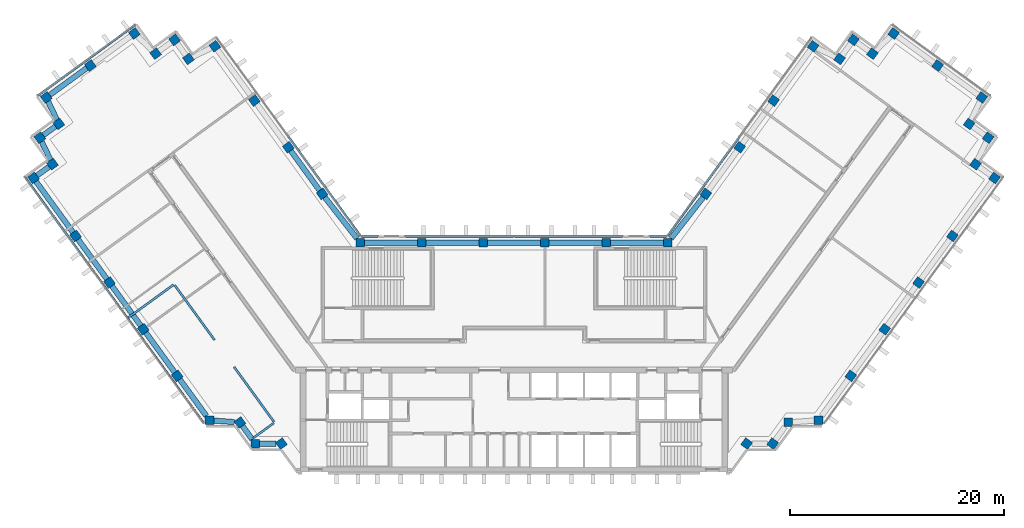
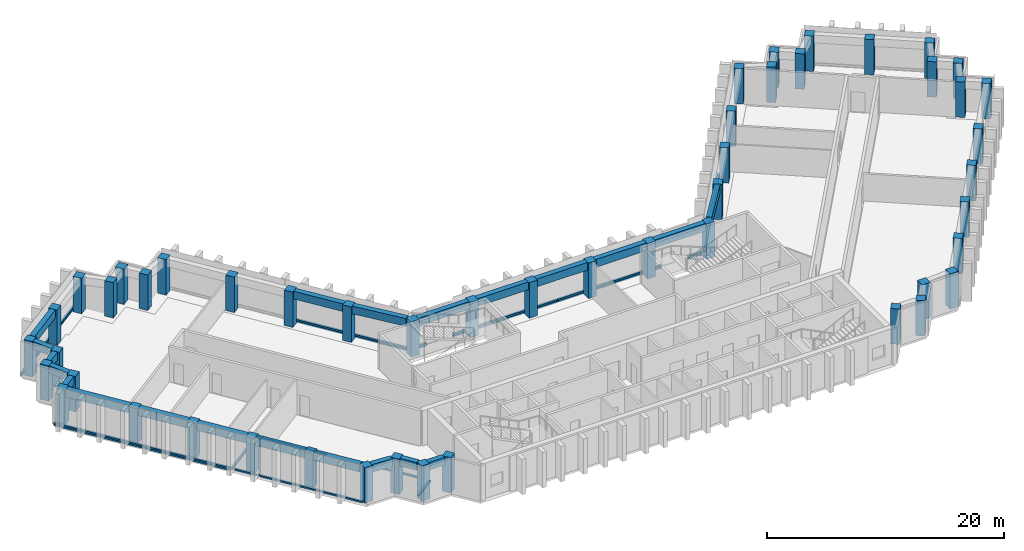
"""IFC4 building model written with IfcOpenShell, lengths in metres."""

import ifcopenshell
import ifcopenshell.guid

model = None  # the IFC model being written
_history = None  # IfcOwnerHistory: only IFC2X3 demands one
_inside = {}  # id of a spatial element -> (the spatial element, [elements in it])
_under = {}  # id of a project, library or spatial element -> (it, [spatial elements below it])
_declared = {}  # id of a project -> (the project, [libraries it declares])
_typed = {}  # id of a type object -> (the type object, [elements of that type])
_made_of = {}  # id of a material, layer set ... -> (it, [elements and type objects made of it])


def new_model(schema):
    """Start an empty IFC model of exactly this schema.

    Asked for "IFC4X3", IfcOpenShell would pick the latest addendum, in which some entities
    have other attributes; the version numbers below select the first issue.
    IFC2X3 requires an IfcOwnerHistory on every rooted entity: one is made here for all.
    """
    global model, _history
    if schema == "IFC4X3":
        model = ifcopenshell.file(schema_version=(4, 3, 0, 0))
    else:
        model = ifcopenshell.file(schema=schema)
    _inside.clear()
    _under.clear()
    _declared.clear()
    _typed.clear()
    _made_of.clear()
    _history = None
    if model.schema == "IFC2X3":
        org = make("IfcOrganization", Name="unknown")
        user = make(
            "IfcPersonAndOrganization",
            ThePerson=make("IfcPerson", FamilyName="unknown"),
            TheOrganization=org,
        )
        app = make(
            "IfcApplication",
            ApplicationDeveloper=org,
            Version="unknown",
            ApplicationFullName="unknown",
            ApplicationIdentifier="unknown",
        )
        _history = make(
            "IfcOwnerHistory",
            OwningUser=user,
            OwningApplication=app,
            ChangeAction="ADDED",
            CreationDate=0,
        )
    return model


def make(cls, **values):
    """One entity of the class cls with the attributes given. An attribute that is None is left unset."""
    return model.create_entity(
        cls, **{name: value for name, value in values.items() if value is not None}
    )


def rooted(cls, **values):
    """An entity with a GlobalId (a new one), such as an element, a storey or a relation."""
    return make(cls, GlobalId=ifcopenshell.guid.new(), OwnerHistory=_history, **values)


def si_unit(unit_type, name, prefix=None):
    """IfcSIUnit, for example si_unit("LENGTHUNIT", "METRE", prefix="MILLI")."""
    return make("IfcSIUnit", UnitType=unit_type, Prefix=prefix, Name=name)


def assignment(units):
    """IfcUnitAssignment: the units of a project."""
    return None if units is None else make("IfcUnitAssignment", Units=units)


def point(xyz):
    """IfcCartesianPoint."""
    return None if xyz is None else make("IfcCartesianPoint", Coordinates=xyz)


def direction(xyz):
    """IfcDirection."""
    return None if xyz is None else make("IfcDirection", DirectionRatios=xyz)


def frame(location, z_axis=None, x_axis=None):
    """IfcAxis2Placement3D, a coordinate frame: its origin and axes. An axis left out is left unset."""
    return make(
        "IfcAxis2Placement3D",
        Location=point(location),
        Axis=direction(z_axis),
        RefDirection=direction(x_axis),
    )


def frame_2d(location, x_axis=None):
    """IfcAxis2Placement2D, a coordinate frame in the plane: its origin and x axis."""
    return make(
        "IfcAxis2Placement2D", Location=point(location), RefDirection=direction(x_axis)
    )


def origin():
    """The frame at (0, 0, 0) with its axes left unset."""
    return frame((0.0, 0.0, 0.0))


def origin_2d():
    """The frame at (0, 0) in the plane with its x axis left unset."""
    return frame_2d((0.0, 0.0))


def place(relative_to, where):
    """IfcLocalPlacement: puts the frame where relative to a parent placement (None: the world)."""
    return make(
        "IfcLocalPlacement", PlacementRelTo=relative_to, RelativePlacement=where
    )


def context(
    kind, dimensions, precision=None, world=None, true_north=None, identifier=None
):
    """IfcGeometricRepresentationContext, for example the 3D "Model" context."""
    return make(
        "IfcGeometricRepresentationContext",
        ContextIdentifier=identifier,
        ContextType=kind,
        CoordinateSpaceDimension=dimensions,
        Precision=precision,
        WorldCoordinateSystem=world,
        TrueNorth=true_north,
    )


def subcontext(parent, identifier, kind, view, scale=None):
    """IfcGeometricRepresentationSubContext, for example "Body" below "Model"."""
    return make(
        "IfcGeometricRepresentationSubContext",
        ContextIdentifier=identifier,
        ContextType=kind,
        ParentContext=parent,
        TargetScale=scale,
        TargetView=view,
    )


def project(units=None, contexts=None):
    """IfcProject with its units and contexts."""
    return rooted(
        "IfcProject",
        Name="project",
        RepresentationContexts=contexts,
        UnitsInContext=assignment(units),
    )


def spatial(cls, under=None, at=None, **own):
    """A site, building, storey or space (cls), placed at a placement, below another one or the project."""
    s = rooted(cls, ObjectPlacement=at, **own)
    if under is not None:
        _under.setdefault(under.id(), (under, []))[1].append(s)
    return s


def profile(cls, at=None, kind="AREA", **sizes):
    """A parametric profile (cls). Its sizes go by their IFC names, for example OverallWidth=200.0."""
    return make(cls, ProfileType=kind, Position=at, **sizes)


def rectangle(**sizes):
    """IfcRectangleProfileDef."""
    return profile("IfcRectangleProfileDef", **sizes)


def extrude(swept, where, along, depth):
    """IfcExtrudedAreaSolid: the profile swept, set in the frame where, extruded along a direction by depth."""
    return make(
        "IfcExtrudedAreaSolid",
        SweptArea=swept,
        Position=where,
        ExtrudedDirection=direction(along),
        Depth=depth,
    )


def shape(context_of_items, identifier, shape_type, items):
    """IfcShapeRepresentation: the items that make up one representation, for example the "Body"."""
    return make(
        "IfcShapeRepresentation",
        ContextOfItems=context_of_items,
        RepresentationIdentifier=identifier,
        RepresentationType=shape_type,
        Items=items,
    )


def material(Name=None, Category=None):
    """IfcMaterial."""
    return make("IfcMaterial", Name=Name, Category=Category)


def material_profile(
    of_material, cross_section, Name=None, Category=None, Priority=None
):
    """IfcMaterialProfile: a cross section and its material."""
    return make(
        "IfcMaterialProfile",
        Name=Name,
        Material=of_material,
        Profile=cross_section,
        Priority=Priority,
        Category=Category,
    )


def profile_set(profiles, Name=None, composite=None):
    """IfcMaterialProfileSet."""
    return make(
        "IfcMaterialProfileSet",
        Name=Name,
        MaterialProfiles=profiles,
        CompositeProfile=composite,
    )


def made_of(thing, what):
    """Note that an element or type object is made of a material, layer set ...; save() writes the relation."""
    if what is not None:
        _made_of.setdefault(what.id(), (what, []))[1].append(thing)
    return thing


def type_object(cls, material=None, **own):
    """A type object (cls), such as IfcWallType, which elements share."""
    return made_of(rooted(cls, **own), material)


def element(
    cls,
    number,
    at=None,
    inside=None,
    cuts=None,
    type_object=None,
    material=None,
    context=None,
    identifier="Body",
    shape_type=None,
    held_by="IfcProductDefinitionShape",
    body=None,
    shapes=None,
    **own,
):
    """One element of the class cls, such as IfcWall. Its Tag is "e" and its number.

    at: its placement. inside: the storey or other place that contains it. cuts: it is an
    opening in that element (IfcRelVoidsElement). A single representation is given by context,
    identifier, shape_type and body (its items); several are given by shapes. held_by: the class
    of the entity that holds the representations. save() writes the other relations.
    """
    e = rooted(cls, Tag="e%d" % number, ObjectPlacement=at, **own)
    if body is not None:
        shapes = [shape(context, identifier, shape_type, body)]
    if shapes is not None:
        e.Representation = make(held_by, Representations=shapes)
    if inside is not None:
        _inside.setdefault(inside.id(), (inside, []))[1].append(e)
    if cuts is not None:
        rooted(
            "IfcRelVoidsElement", RelatingBuildingElement=cuts, RelatedOpeningElement=e
        )
    if type_object is not None:
        _typed.setdefault(type_object.id(), (type_object, []))[1].append(e)
    return made_of(e, material)


def aggregate(whole, parts):
    """IfcRelAggregates: a whole, such as a stair, and the parts it consists of."""
    return rooted("IfcRelAggregates", RelatingObject=whole, RelatedObjects=parts)


def save(model, path):
    """Write the relations noted so far, then the file.

    IfcRelAggregates (storeys below a building ...), IfcRelContainedInSpatialStructure (elements
    in a storey), IfcRelDefinesByType, IfcRelAssociatesMaterial and IfcRelDeclares: one each for
    every whole, place, type object, material and project.
    """
    for whole, parts in _under.values():
        aggregate(whole, parts)
    for where, things in _inside.values():
        rooted(
            "IfcRelContainedInSpatialStructure",
            RelatedElements=things,
            RelatingStructure=where,
        )
    for kind, things in _typed.values():
        rooted("IfcRelDefinesByType", RelatedObjects=things, RelatingType=kind)
    for what, things in _made_of.values():
        rooted("IfcRelAssociatesMaterial", RelatedObjects=things, RelatingMaterial=what)
    for by, libraries in _declared.values():
        rooted("IfcRelDeclares", RelatingContext=by, RelatedDefinitions=libraries)
    model.write(path)


model = new_model("IFC4")

# Units and contexts
model_context = context("Model", 3, precision=1e-05, world=origin(), true_north=direction((0.0, 1.0)))
body_context = subcontext(model_context, "Body", "Model", "MODEL_VIEW")
ifc_project = project(units=[si_unit("LENGTHUNIT", "METRE"), si_unit("AREAUNIT", "SQUARE_METRE"), si_unit("VOLUMEUNIT", "CUBIC_METRE"), si_unit("PLANEANGLEUNIT", "RADIAN"), si_unit("MASSUNIT", "GRAM", prefix="KILO")], contexts=[model_context])

# Site, building, storey
site_placement = place(None, origin())
site = spatial("IfcSite", under=ifc_project, at=site_placement, CompositionType="ELEMENT")
building_placement = place(site_placement, origin())
building = spatial("IfcBuilding", under=site, at=building_placement, Name="Quipu Civic Tower", CompositionType="ELEMENT")
storey_1_placement = place(building_placement, frame((0.0, 0.0, 168.0)))
storey_1 = spatial("IfcBuildingStorey", under=building, at=storey_1_placement, Name="L39", CompositionType="ELEMENT", Elevation=168.0)

# Columns
ifc_material_1 = material(Name="Concrete C60/75", Category="concrete")
ifc_material_profile_1 = material_profile(ifc_material_1, rectangle(XDim=0.800048828125, YDim=0.800048828125, at=origin_2d()), Name="RC800x800")
ifc_profile_set_1 = profile_set([ifc_material_profile_1], Name="Concrete C60/75")
column_type = type_object("IfcColumnType", Name="Perimeter column RC 800x800 C60/75", PredefinedType="COLUMN", material=ifc_profile_set_1)
for number, where, z_axis, x_axis, name in (
    (1, (-17.9736328125, 15.074951171875, 0.0), (0.0, 0.0, 1.0), (-0.587785252292, 0.809016994375, 0.0), "Column L39 W-IN-01"),
    (2, (-21.1474609375, 19.44384765625, 0.0), (0.0, 0.0, 1.0), (-0.587785252292, 0.809016994375, 0.0), "Column L39 W-IN-02"),
    (3, (-24.3212890625, 23.8125, 0.0), (0.0, 0.0, 1.0), (-0.587785252292, 0.809016994375, 0.0), "Column L39 W-IN-03"),
    (4, (-28.02001953125, 28.905029296875, 0.0), (0.0, 0.0, 1.0), (-0.809016994375, -0.587785252292, 0.0), "Column L39 T-Wi.0-W34"),
    (5, (-30.498779296875, 27.72265625, 0.0), (0.0, 0.0, 1.0), (-0.809016994375, -0.587785252292, 0.0), "Column L39 T-Wi.1-W34"),
    (6, (-31.794921875, 29.5, 0.0), (0.0, 0.0, 1.0), (-0.587785252292, 0.809016994375, 0.0), "Column L39 T-Wi.2-W34"),
    (7, (-33.573974609375, 28.20947265625, 0.0), (0.0, 0.0, 1.0), (-0.587785252292, 0.809016994375, 0.0), "Column L39 T-Wi.3-W34"),
    (8, (-35.56494140625, 30.10009765625, 0.0), (0.0, 0.0, 1.0), (-0.809016994375, -0.587785252292, 0.0), "Column L39 T-Wi.4-W34"),
    (9, (-39.690673828125, 27.10205078125, 0.0), (0.0, 0.0, 1.0), (-0.809016994375, -0.587785252292, 0.0), "Column L39 TIP-W-01-W34"),
    (10, (-43.81494140625, 24.10498046875, 0.0), (0.0, 0.0, 1.0), (-0.809016994375, -0.587785252292, 0.0), "Column L39 T-Wo.0-W34"),
    (11, (-42.635009765625, 21.626220703125, 0.0), (0.0, 0.0, 1.0), (-0.809016994375, -0.587785252292, 0.0), "Column L39 T-Wo.1-W34"),
    (12, (-44.4150390625, 20.3349609375, 0.0), (0.0, 0.0, 1.0), (0.587785252292, -0.809016994375, 0.0), "Column L39 T-Wo.2-W34"),
    (13, (-43.23095703125, 17.8544921875, 0.0), (0.0, 0.0, 1.0), (0.587785252292, -0.809016994375, 0.0), "Column L39 T-Wo.3-W34"),
    (14, (-45.010009765625, 16.56005859375, 0.0), (0.0, 0.0, 1.0), (0.587785252292, -0.809016994375, 0.0), "Column L39 T-Wo.4-W34"),
    (15, (-41.0703125, 11.137451171875, 0.0), (0.0, 0.0, 1.0), (0.587785252292, -0.809016994375, 0.0), "Column L39 W-OUT-04"),
    (16, (-37.896240234375, 6.768798828125, 0.0), (0.0, 0.0, 1.0), (0.587785252292, -0.809016994375, 0.0), "Column L39 W-OUT-03"),
    (17, (-34.722412109375, 2.39990234375, 0.0), (0.0, 0.0, 1.0), (0.587785252292, -0.809016994375, 0.0), "Column L39 W-OUT-02"),
    (18, (-31.54833984375, -1.96875, 0.0), (0.0, 0.0, 1.0), (0.587785252292, -0.809016994375, 0.0), "Column L39 W-OUT-01"),
    (19, (-28.52490234375, -6.1298828125, 0.0), (0.0, 0.0, 1.0), (1.0, 0.0, 0.0), "Column L39 J-Wo.0"),
    (20, (-25.67431640625, -6.3369140625, 0.0), (0.0, 0.0, 1.0), (0.587785252292, -0.809016994375, 0.0), "Column L39 J-Wo.1"),
    (21, (-24.235107421875, -8.31494140625, 0.0), (0.0, 0.0, 1.0), (1.0, 0.0, 0.0), "Column L39 J-Wo.2"),
    (22, (-21.791748046875, -8.31494140625, 0.0), (0.0, 0.0, 1.0), (0.587785252292, -0.809016994375, 0.0), "Column L39 J-Wo.3"),
    (23, (21.791748046875, -8.31494140625, 0.0), (0.0, 0.0, 1.0), (0.587785252292, 0.809016994375, 0.0), "Column L39 J-Eo.1"),
    (24, (24.235107421875, -8.31494140625, 0.0), (0.0, 0.0, 1.0), (0.587785252292, 0.809016994375, 0.0), "Column L39 J-Eo.2"),
    (25, (25.67431640625, -6.3369140625, 0.0), (0.0, 0.0, 1.0), (1.0, 0.0, 0.0), "Column L39 J-Eo.3"),
    (26, (28.52490234375, -6.1298828125, 0.0), (0.0, 0.0, 1.0), (1.0, 0.0, 0.0), "Column L39 J-Eo.4"),
    (27, (31.54833984375, -1.96875, 0.0), (0.0, 0.0, 1.0), (0.587785252292, 0.809016994375, 0.0), "Column L39 E-OUT-01"),
    (28, (34.722412109375, 2.39990234375, 0.0), (0.0, 0.0, 1.0), (0.587785252292, 0.809016994375, 0.0), "Column L39 E-OUT-02"),
    (29, (37.896240234375, 6.768798828125, 0.0), (0.0, 0.0, 1.0), (0.587785252292, 0.809016994375, 0.0), "Column L39 E-OUT-03"),
    (30, (41.0703125, 11.137451171875, 0.0), (0.0, 0.0, 1.0), (0.587785252292, 0.809016994375, 0.0), "Column L39 E-OUT-04"),
    (31, (45.010009765625, 16.56005859375, 0.0), (0.0, 0.0, 1.0), (0.587785252292, 0.809016994375, 0.0), "Column L39 T-Eo.0-E34"),
    (32, (43.23095703125, 17.8544921875, 0.0), (0.0, 0.0, 1.0), (0.587785252292, 0.809016994375, 0.0), "Column L39 T-Eo.1-E34"),
    (33, (44.4150390625, 20.3349609375, 0.0), (0.0, 0.0, 1.0), (0.587785252292, 0.809016994375, 0.0), "Column L39 T-Eo.2-E34"),
    (34, (42.635009765625, 21.626220703125, 0.0), (0.0, 0.0, 1.0), (-0.809016994375, 0.587785252292, 0.0), "Column L39 T-Eo.3-E34"),
    (35, (43.81494140625, 24.10498046875, 0.0), (0.0, 0.0, 1.0), (-0.809016994375, 0.587785252292, 0.0), "Column L39 T-Eo.4-E34"),
    (36, (39.690673828125, 27.10205078125, 0.0), (0.0, 0.0, 1.0), (-0.809016994375, 0.587785252292, 0.0), "Column L39 TIP-E-01-E34"),
    (37, (35.56494140625, 30.10009765625, 0.0), (0.0, 0.0, 1.0), (-0.587785252292, -0.809016994375, 0.0), "Column L39 T-Ei.0-E34"),
    (38, (33.573974609375, 28.20947265625, 0.0), (0.0, 0.0, 1.0), (-0.809016994375, 0.587785252292, 0.0), "Column L39 T-Ei.1-E34"),
    (39, (31.794921875, 29.5, 0.0), (0.0, 0.0, 1.0), (-0.587785252292, -0.809016994375, 0.0), "Column L39 T-Ei.2-E34"),
    (40, (30.498779296875, 27.72265625, 0.0), (0.0, 0.0, 1.0), (-0.809016994375, 0.587785252292, 0.0), "Column L39 T-Ei.3-E34"),
    (41, (28.02001953125, 28.905029296875, 0.0), (0.0, 0.0, 1.0), (-0.809016994375, 0.587785252292, 0.0), "Column L39 T-Ei.4-E34"),
    (42, (24.3212890625, 23.8125, 0.0), (0.0, 0.0, 1.0), (-0.587785252292, -0.809016994375, 0.0), "Column L39 E-IN-03"),
    (43, (21.1474609375, 19.44384765625, 0.0), (0.0, 0.0, 1.0), (-0.587785252292, -0.809016994375, 0.0), "Column L39 E-IN-02"),
    (44, (17.9736328125, 15.074951171875, 0.0), (0.0, 0.0, 1.0), (-0.587785252292, -0.809016994375, 0.0), "Column L39 E-IN-01"),
    (45, (14.395263671875, 10.5, 0.0), (0.0, 0.0, 1.0), (-1.0, 0.0, 0.0), "Column L39 J-Ei.0"),
    (46, (8.63720703125, 10.5, 0.0), (0.0, 0.0, 1.0), (-1.0, 0.0, 0.0), "Column L39 FRONT-01"),
    (47, (2.87890625, 10.5, 0.0), (0.0, 0.0, 1.0), (-1.0, 0.0, 0.0), "Column L39 FRONT-02"),
    (48, (-2.87890625, 10.5, 0.0), (0.0, 0.0, 1.0), (-1.0, 0.0, 0.0), "Column L39 FRONT-03"),
    (49, (-8.63720703125, 10.5, 0.0), (0.0, 0.0, 1.0), (-1.0, 0.0, 0.0), "Column L39 FRONT-04"),
    (50, (-14.395263671875, 10.5, 0.0), (0.0, 0.0, 1.0), (-1.0, 0.0, 0.0), "Column L39 J-Wi.0"),
):
    element("IfcColumn", number, at=place(storey_1_placement, frame(where, z_axis=z_axis, x_axis=x_axis)), inside=storey_1, type_object=column_type, Name=name, PredefinedType="COLUMN", context=body_context, shape_type="SweptSolid", body=[
        extrude(rectangle(XDim=0.800048828125, YDim=0.800048828125, at=origin_2d()), origin(), (0.0, 0.0, 1.0), 3.64990234375),
    ])

# Beams
ifc_material_2 = material(Name="Concrete C50/60", Category="concrete")
ifc_material_profile_2 = material_profile(ifc_material_2, rectangle(XDim=0.5, YDim=0.800048828125, at=origin_2d()), Name="RC500x800")
ifc_profile_set_2 = profile_set([ifc_material_profile_2], Name="Concrete C50/60")
beam_type = type_object("IfcBeamType", Name="Spandrel beam RC 500x800 C50/60", PredefinedType="SPANDREL", material=ifc_profile_set_2)
beam_1_placement = place(storey_1_placement, frame((-18.208740234375, 15.398681640625, 3.25), z_axis=(-0.58776136044, 0.809034352283, 0.0), x_axis=(-0.809034352283, -0.58776136044, 0.0)))
element("IfcBeam", 51, at=beam_1_placement, inside=storey_1, type_object=beam_type, Name="Spandrel beam L39 W-IN-01 to W-IN-02", PredefinedType="SPANDREL", context=body_context, shape_type="SweptSolid", body=[
    extrude(rectangle(XDim=0.5, YDim=0.800048828125, at=origin_2d()), origin(), (0.0, 0.0, 1.0), 4.599853515625),
])
beam_2_placement = place(storey_1_placement, frame((-40.014404296875, 26.866943359375, 3.25), z_axis=(-0.808947267178, -0.587881211578, 0.0), x_axis=(0.587881211578, -0.808947267178, 0.0)))
element("IfcBeam", 52, at=beam_2_placement, inside=storey_1, type_object=beam_type, Name="Spandrel beam L39 TIP-W-01-W34 to T-Wo.0-W34", PredefinedType="SPANDREL", context=body_context, shape_type="SweptSolid", body=[
    extrude(rectangle(XDim=0.5, YDim=0.800048828125, at=origin_2d()), origin(), (0.0, 0.0, 1.0), 4.29833984375),
])
beam_3_placement = place(storey_1_placement, frame((-43.64013671875, 23.737548828125, 3.25), z_axis=(0.429889421342, -0.902881545618, 0.0), x_axis=(0.902881545618, 0.429889421342, 0.0)))
element("IfcBeam", 53, at=beam_3_placement, inside=storey_1, type_object=beam_type, Name="Spandrel beam L39 T-Wo.0-W34 to T-Wo.1-W34", PredefinedType="SPANDREL", context=body_context, shape_type="SweptSolid", body=[
    extrude(rectangle(XDim=0.5, YDim=0.800048828125, at=origin_2d()), origin(), (0.0, 0.0, 1.0), 1.931396484375),
])
beam_4_placement = place(storey_1_placement, frame((-42.958740234375, 21.391357421875, 3.25), z_axis=(-0.809467380413, -0.587164849125, 0.0), x_axis=(0.587164849125, -0.809467380413, 0.0)))
element("IfcBeam", 54, at=beam_4_placement, inside=storey_1, type_object=beam_type, Name="Spandrel beam L39 T-Wo.1-W34 to T-Wo.2-W34", PredefinedType="SPANDREL", context=body_context, shape_type="SweptSolid", body=[
    extrude(rectangle(XDim=0.5, YDim=0.800048828125, at=origin_2d()), origin(), (0.0, 0.0, 1.0), 1.399169921875),
])
beam_5_placement = place(storey_1_placement, frame((-44.23974609375, 19.9677734375, 3.25), z_axis=(0.430785642718, -0.902454281406, 0.0), x_axis=(0.902454281406, 0.430785642718, 0.0)))
element("IfcBeam", 55, at=beam_5_placement, inside=storey_1, type_object=beam_type, Name="Spandrel beam L39 T-Wo.2-W34 to T-Wo.3-W34", PredefinedType="SPANDREL", context=body_context, shape_type="SweptSolid", body=[
    extrude(rectangle(XDim=0.5, YDim=0.800048828125, at=origin_2d()), origin(), (0.0, 0.0, 1.0), 1.934814453125),
])
beam_6_placement = place(storey_1_placement, frame((-43.554443359375, 17.619140625, 3.25), z_axis=(-0.808600329101, -0.588358315805, 0.0), x_axis=(0.588358315805, -0.808600329101, 0.0)))
element("IfcBeam", 56, at=beam_6_placement, inside=storey_1, type_object=beam_type, Name="Spandrel beam L39 T-Wo.3-W34 to T-Wo.4-W34", PredefinedType="SPANDREL", context=body_context, shape_type="SweptSolid", body=[
    extrude(rectangle(XDim=0.5, YDim=0.800048828125, at=origin_2d()), origin(), (0.0, 0.0, 1.0), 1.400146484375),
])
beam_7_placement = place(storey_1_placement, frame((-44.77490234375, 16.236328125, 3.25), z_axis=(0.58780026889, -0.809006083965, 0.0), x_axis=(0.809006083965, 0.58780026889, 0.0)))
element("IfcBeam", 57, at=beam_7_placement, inside=storey_1, type_object=beam_type, Name="Spandrel beam L39 T-Wo.4-W34 to W-OUT-04", PredefinedType="SPANDREL", context=body_context, shape_type="SweptSolid", body=[
    extrude(rectangle(XDim=0.5, YDim=0.800048828125, at=origin_2d()), origin(), (0.0, 0.0, 1.0), 5.902587890625),
])
beam_8_placement = place(storey_1_placement, frame((-40.835205078125, 10.81396484375, 3.25), z_axis=(0.587770861189, -0.809027449928, 0.0), x_axis=(0.809027449928, 0.587770861189, 0.0)))
element("IfcBeam", 58, at=beam_8_placement, inside=storey_1, type_object=beam_type, Name="Spandrel beam L39 W-OUT-04 to W-OUT-03", PredefinedType="SPANDREL", context=body_context, shape_type="SweptSolid", body=[
    extrude(rectangle(XDim=0.5, YDim=0.800048828125, at=origin_2d()), origin(), (0.0, 0.0, 1.0), 4.60009765625),
])
beam_9_placement = place(storey_1_placement, frame((-37.6611328125, 6.445068359375, 3.25), z_axis=(0.58776136044, -0.809034352283, 0.0), x_axis=(0.809034352283, 0.58776136044, 0.0)))
element("IfcBeam", 59, at=beam_9_placement, inside=storey_1, type_object=beam_type, Name="Spandrel beam L39 W-OUT-03 to W-OUT-02", PredefinedType="SPANDREL", context=body_context, shape_type="SweptSolid", body=[
    extrude(rectangle(XDim=0.5, YDim=0.800048828125, at=origin_2d()), origin(), (0.0, 0.0, 1.0), 4.599853515625),
])
beam_10_placement = place(storey_1_placement, frame((-34.4873046875, 2.076416015625, 3.25), z_axis=(0.587796098864, -0.809009113768, 0.0), x_axis=(0.809009113768, 0.587796098864, 0.0)))
element("IfcBeam", 60, at=beam_10_placement, inside=storey_1, type_object=beam_type, Name="Spandrel beam L39 W-OUT-02 to W-OUT-01", PredefinedType="SPANDREL", context=body_context, shape_type="SweptSolid", body=[
    extrude(rectangle(XDim=0.5, YDim=0.800048828125, at=origin_2d()), origin(), (0.0, 0.0, 1.0), 4.60009765625),
])
beam_11_placement = place(storey_1_placement, frame((-31.313232421875, -2.292236328125, 3.25), z_axis=(0.58776850526, -0.809029161541, 0.0), x_axis=(0.809029161541, 0.58776850526, 0.0)))
element("IfcBeam", 61, at=beam_11_placement, inside=storey_1, type_object=beam_type, Name="Spandrel beam L39 W-OUT-01 to J-Wo.0", PredefinedType="SPANDREL", context=body_context, shape_type="SweptSolid", body=[
    extrude(rectangle(XDim=0.5, YDim=0.800048828125, at=origin_2d()), origin(), (0.0, 0.0, 1.0), 4.249267578125),
])
beam_12_placement = place(storey_1_placement, frame((-28.125, -6.158935546875, 3.25), z_axis=(0.997370796499, -0.072467194581, 0.0), x_axis=(0.072467194581, 0.997370796499, 0.0)))
element("IfcBeam", 62, at=beam_12_placement, inside=storey_1, type_object=beam_type, Name="Spandrel beam L39 J-Wo.0 to J-Wo.1", PredefinedType="SPANDREL", context=body_context, shape_type="SweptSolid", body=[
    extrude(rectangle(XDim=0.5, YDim=0.800048828125, at=origin_2d()), origin(), (0.0, 0.0, 1.0), 1.933837890625),
])
beam_13_placement = place(storey_1_placement, frame((-25.43896484375, -6.660400390625, 3.25), z_axis=(0.588330737135, -0.808620395329, 0.0), x_axis=(0.808620395329, 0.588330737135, 0.0)))
element("IfcBeam", 63, at=beam_13_placement, inside=storey_1, type_object=beam_type, Name="Spandrel beam L39 J-Wo.1 to J-Wo.2", PredefinedType="SPANDREL", context=body_context, shape_type="SweptSolid", body=[
    extrude(rectangle(XDim=0.5, YDim=0.800048828125, at=origin_2d()), origin(), (0.0, 0.0, 1.0), 1.551513671875),
])
beam_14_placement = place(storey_1_placement, frame((-23.8349609375, -8.31494140625, 3.25), z_axis=(1.0, 0.0, 0.0), x_axis=(0.0, 1.0, 0.0)))
element("IfcBeam", 64, at=beam_14_placement, inside=storey_1, type_object=beam_type, Name="Spandrel beam L39 J-Wo.2 to J-Wo.3", PredefinedType="SPANDREL", context=body_context, shape_type="SweptSolid", body=[
    extrude(rectangle(XDim=0.5, YDim=0.800048828125, at=origin_2d()), origin(), (0.0, 0.0, 1.0), 1.548828125),
])
beam_15_placement = place(storey_1_placement, frame((17.72705078125, 14.759765625, 3.25), z_axis=(-0.616090612932, -0.787675286306, 0.0), x_axis=(0.787675286306, -0.616090612932, 0.0)))
element("IfcBeam", 65, at=beam_15_placement, inside=storey_1, type_object=beam_type, Name="Spandrel beam L39 E-IN-01 to J-Ei.0", PredefinedType="SPANDREL", context=body_context, shape_type="SweptSolid", body=[
    extrude(rectangle(XDim=0.5, YDim=0.800048828125, at=origin_2d()), origin(), (0.0, 0.0, 1.0), 4.900390625),
])
for number, where, z_axis, x_axis, name in (
    (66, (13.9951171875, 10.5, 3.25), (-1.0, 0.0, 0.0), (0.0, -1.0, 0.0), "Spandrel beam L39 J-Ei.0 to FRONT-01"),
    (67, (8.237060546875, 10.5, 3.25), (-1.0, 0.0, 0.0), (0.0, -1.0, 0.0), "Spandrel beam L39 FRONT-01 to FRONT-02"),
    (68, (2.47900390625, 10.5, 3.25), (-1.0, 0.0, 0.0), (0.0, -1.0, 0.0), "Spandrel beam L39 FRONT-02 to FRONT-03"),
    (69, (-3.279052734375, 10.5, 3.25), (-1.0, 0.0, 0.0), (0.0, -1.0, 0.0), "Spandrel beam L39 FRONT-03 to FRONT-04"),
    (70, (-9.037109375, 10.5, 3.25), (-1.0, 0.0, 0.0), (0.0, -1.0, 0.0), "Spandrel beam L39 FRONT-04 to J-Wi.0"),
):
    element("IfcBeam", number, at=place(storey_1_placement, frame(where, z_axis=z_axis, x_axis=x_axis)), inside=storey_1, type_object=beam_type, Name=name, PredefinedType="SPANDREL", context=body_context, shape_type="SweptSolid", body=[
        extrude(rectangle(XDim=0.5, YDim=0.800048828125, at=origin_2d()), origin(), (0.0, 0.0, 1.0), 4.9580078125),
    ])
beam_16_placement = place(storey_1_placement, frame((-14.7080078125, 10.89990234375, 3.25), z_axis=(-0.616090612932, 0.787675286306, 0.0), x_axis=(-0.787675286306, -0.616090612932, 0.0)))
element("IfcBeam", 71, at=beam_16_placement, inside=storey_1, type_object=beam_type, Name="Spandrel beam L39 J-Wi.0 to W-IN-01", PredefinedType="SPANDREL", context=body_context, shape_type="SweptSolid", body=[
    extrude(rectangle(XDim=0.5, YDim=0.800048828125, at=origin_2d()), origin(), (0.0, 0.0, 1.0), 4.900390625),
])

# Storey
storey_2_placement = place(building_placement, frame((0.0, 0.0, 160.0)))
storey_2 = spatial("IfcBuildingStorey", under=building, at=storey_2_placement, Name="L37", CompositionType="ELEMENT", Elevation=160.0)

# Curtain wall, member
ifc_material_3 = material(Name="Insulated glass unit", Category="glass")
curtain_wall_type = type_object("IfcCurtainWallType", Name="Office curtain wall CW1", PredefinedType="NOTDEFINED", material=ifc_material_3)
curtain_wall_1_placement = place(storey_2_placement, origin())
curtain_wall_1 = element("IfcCurtainWall", 72, at=curtain_wall_1_placement, inside=storey_2, type_object=curtain_wall_type, Name="Office curtain wall CW1 L36 run 10", PredefinedType="NOTDEFINED")
ifc_material_4 = material(Name="Anodised aluminium", Category="aluminium")
ifc_material_profile_3 = material_profile(ifc_material_4, rectangle(XDim=0.199951171875, YDim=0.159912109375, at=origin_2d()), Name="RECT 200x160")
ifc_profile_set_3 = profile_set([ifc_material_profile_3], Name="Anodised aluminium")
member_type = type_object("IfcMemberType", Name="Transom CW1", PredefinedType="USERDEFINED", material=ifc_profile_set_3)
member_1_placement = place(storey_1_placement, frame((-14.39111328125, 11.164794921875, 0.0), z_axis=(-0.587799878401, 0.809006367683, 0.0), x_axis=(-0.809006367683, -0.587799878401, 0.0)))
member_1 = element("IfcMember", 73, at=member_1_placement, inside=storey_1, type_object=member_type, Name="CW1 transom 1.4", ObjectType="TRANSOM", PredefinedType="USERDEFINED", context=body_context, shape_type="SweptSolid", body=[
    extrude(rectangle(XDim=0.199951171875, YDim=0.159912109375, at=origin_2d()), origin(), (0.0, 0.0, 1.0), 11.402099609375),
])
aggregate(curtain_wall_1, [member_1])

curtain_wall_2_placement = place(storey_2_placement, origin())
curtain_wall_2 = element("IfcCurtainWall", 74, at=curtain_wall_2_placement, inside=storey_2, type_object=curtain_wall_type, Name="Office curtain wall CW1 L36 run 15", PredefinedType="NOTDEFINED")
member_2_placement = place(storey_1_placement, frame((-35.496826171875, 30.890869140625, 0.0), z_axis=(-0.809014959561, -0.587788052963, 0.0), x_axis=(0.587788052963, -0.809014959561, 0.0)))
member_2 = element("IfcMember", 75, at=member_2_placement, inside=storey_1, type_object=member_type, Name="CW1 transom 1.4", ObjectType="TRANSOM", PredefinedType="USERDEFINED", context=body_context, shape_type="SweptSolid", body=[
    extrude(rectangle(XDim=0.199951171875, YDim=0.159912109375, at=origin_2d()), origin(), (0.0, 0.0, 1.0), 11.239990234375),
])
aggregate(curtain_wall_2, [member_2])

curtain_wall_3_placement = place(storey_2_placement, origin())
curtain_wall_3 = element("IfcCurtainWall", 76, at=curtain_wall_3_placement, inside=storey_2, type_object=curtain_wall_type, Name="Office curtain wall CW1 L36 run 36", PredefinedType="NOTDEFINED")
member_3_placement = place(storey_1_placement, frame((21.09326171875, 20.38916015625, 0.0), z_axis=(-0.587799878401, -0.809006367683, 0.0), x_axis=(0.809006367683, -0.587799878401, 0.0)))
member_3 = element("IfcMember", 77, at=member_3_placement, inside=storey_1, type_object=member_type, Name="CW1 transom 2.4", ObjectType="TRANSOM", PredefinedType="USERDEFINED", context=body_context, shape_type="SweptSolid", body=[
    extrude(rectangle(XDim=0.199951171875, YDim=0.159912109375, at=origin_2d()), origin(), (0.0, 0.0, 1.0), 11.402099609375),
])
aggregate(curtain_wall_3, [member_3])

curtain_wall_4_placement = place(storey_2_placement, origin())
curtain_wall_4 = element("IfcCurtainWall", 78, at=curtain_wall_4_placement, inside=storey_2, type_object=curtain_wall_type, Name="Office curtain wall CW1 L36 run 37", PredefinedType="NOTDEFINED")
member_4_placement = place(storey_1_placement, frame((14.26416015625, 11.10009765625, 0.0), z_axis=(-1.0, 0.0, 0.0), x_axis=(0.0, -1.0, 0.0)))
member_4 = element("IfcMember", 79, at=member_4_placement, inside=storey_1, type_object=member_type, Name="CW1 transom 1.4", ObjectType="TRANSOM", PredefinedType="USERDEFINED", context=body_context, shape_type="SweptSolid", body=[
    extrude(rectangle(XDim=0.199951171875, YDim=0.159912109375, at=origin_2d()), origin(), (0.0, 0.0, 1.0), 1.529052734375),
])
aggregate(curtain_wall_4, [member_4])

# Curtain wall, members
curtain_wall_5_placement = place(storey_2_placement, origin())
curtain_wall_5 = element("IfcCurtainWall", 80, at=curtain_wall_5_placement, inside=storey_2, type_object=curtain_wall_type, Name="Office curtain wall CW1 L36 run 39", PredefinedType="NOTDEFINED")
member_5_placement = place(storey_1_placement, frame((10.18359375, 11.10009765625, 0.0), z_axis=(-1.0, 0.0, 0.0), x_axis=(0.0, -1.0, 0.0)))
member_5 = element("IfcMember", 81, at=member_5_placement, inside=storey_1, type_object=member_type, Name="CW1 transom 1.4", ObjectType="TRANSOM", PredefinedType="USERDEFINED", context=body_context, shape_type="SweptSolid", body=[
    extrude(rectangle(XDim=0.199951171875, YDim=0.159912109375, at=origin_2d()), origin(), (0.0, 0.0, 1.0), 10.1435546875),
])
member_6_placement = place(storey_1_placement, frame((-0.0400390625, 11.10009765625, 0.0), z_axis=(-1.0, 0.0, 0.0), x_axis=(0.0, -1.0, 0.0)))
member_6 = element("IfcMember", 82, at=member_6_placement, inside=storey_1, type_object=member_type, Name="CW1 transom 2.4", ObjectType="TRANSOM", PredefinedType="USERDEFINED", context=body_context, shape_type="SweptSolid", body=[
    extrude(rectangle(XDim=0.199951171875, YDim=0.159912109375, at=origin_2d()), origin(), (0.0, 0.0, 1.0), 10.1435546875),
])
aggregate(curtain_wall_5, [member_5, member_6])

# Curtain wall, member
curtain_wall_6_placement = place(storey_2_placement, origin())
curtain_wall_6 = element("IfcCurtainWall", 83, at=curtain_wall_6_placement, inside=storey_2, type_object=curtain_wall_type, Name="Office curtain wall CW1 L36 run 41", PredefinedType="NOTDEFINED")
member_7_placement = place(storey_1_placement, frame((-12.735107421875, 11.10009765625, 0.0), z_axis=(-1.0, 0.0, 0.0), x_axis=(0.0, -1.0, 0.0)))
member_7 = element("IfcMember", 84, at=member_7_placement, inside=storey_1, type_object=member_type, Name="CW1 transom 1.4", ObjectType="TRANSOM", PredefinedType="USERDEFINED", context=body_context, shape_type="SweptSolid", body=[
    extrude(rectangle(XDim=0.199951171875, YDim=0.159912109375, at=origin_2d()), origin(), (0.0, 0.0, 1.0), 1.529052734375),
])
aggregate(curtain_wall_6, [member_7])

# Storey
storey_3_placement = place(building_placement, frame((0.0, 0.0, 164.0)))
storey_3 = spatial("IfcBuildingStorey", under=building, at=storey_3_placement, Name="L38", CompositionType="ELEMENT", Elevation=164.0)

# Curtain wall, members
curtain_wall_7_placement = place(storey_3_placement, origin())
curtain_wall_7 = element("IfcCurtainWall", 85, at=curtain_wall_7_placement, inside=storey_3, type_object=curtain_wall_type, Name="Office curtain wall CW1 L38 run 1", PredefinedType="NOTDEFINED")
member_8_placement = place(storey_1_placement, frame((-45.802490234375, 16.629638671875, 0.0), z_axis=(0.587781767955, -0.809019525883, 0.0), x_axis=(0.809019525883, 0.587781767955, 0.0)))
member_8 = element("IfcMember", 86, at=member_8_placement, inside=storey_1, type_object=member_type, Name="CW1 transom 1.2", ObjectType="TRANSOM", PredefinedType="USERDEFINED", context=body_context, shape_type="SweptSolid", body=[
    extrude(rectangle(XDim=0.199951171875, YDim=0.159912109375, at=origin_2d()), origin(), (0.0, 0.0, 1.0), 8.080078125),
])
member_9_placement = place(storey_1_placement, frame((-41.006103515625, 10.028076171875, 0.0), z_axis=(0.587781767955, -0.809019525883, 0.0), x_axis=(0.809019525883, 0.587781767955, 0.0)))
member_9 = element("IfcMember", 87, at=member_9_placement, inside=storey_1, type_object=member_type, Name="CW1 transom 2.2", ObjectType="TRANSOM", PredefinedType="USERDEFINED", context=body_context, shape_type="SweptSolid", body=[
    extrude(rectangle(XDim=0.199951171875, YDim=0.159912109375, at=origin_2d()), origin(), (0.0, 0.0, 1.0), 8.080078125),
])
aggregate(curtain_wall_7, [member_8, member_9])

# Curtain wall, member
curtain_wall_8_placement = place(storey_3_placement, origin())
curtain_wall_8 = element("IfcCurtainWall", 88, at=curtain_wall_8_placement, inside=storey_3, type_object=curtain_wall_type, Name="Office curtain wall CW1 L38 run 2", PredefinedType="NOTDEFINED")
member_10_placement = place(storey_1_placement, frame((-36.14501953125, 3.4736328125, 0.0), z_axis=(0.809032158953, 0.587764379475, 0.0), x_axis=(-0.587764379475, 0.809032158953, 0.0)))
member_10 = element("IfcMember", 89, at=member_10_placement, inside=storey_1, type_object=member_type, Name="CW1 transom 1.2", ObjectType="TRANSOM", PredefinedType="USERDEFINED", context=body_context, shape_type="SweptSolid", body=[
    extrude(rectangle(XDim=0.199951171875, YDim=0.159912109375, at=origin_2d()), origin(), (0.0, 0.0, 1.0), 5.239990234375),
])
aggregate(curtain_wall_8, [member_10])

curtain_wall_9_placement = place(storey_3_placement, origin())
curtain_wall_9 = element("IfcCurtainWall", 90, at=curtain_wall_9_placement, inside=storey_3, type_object=curtain_wall_type, Name="Office curtain wall CW1 L38 run 3", PredefinedType="NOTDEFINED")
member_11_placement = place(storey_1_placement, frame((-31.794189453125, 6.535888671875, 0.0), z_axis=(0.587785815007, -0.809016585539, 0.0), x_axis=(0.809016585539, 0.587785815007, 0.0)))
member_11 = element("IfcMember", 91, at=member_11_placement, inside=storey_1, type_object=member_type, Name="CW1 transom 1.2", ObjectType="TRANSOM", PredefinedType="USERDEFINED", context=body_context, shape_type="SweptSolid", body=[
    extrude(rectangle(XDim=0.199951171875, YDim=0.159912109375, at=origin_2d()), origin(), (0.0, 0.0, 1.0), 6.358642578125),
])
aggregate(curtain_wall_9, [member_11])

curtain_wall_10_placement = place(storey_3_placement, origin())
curtain_wall_10 = element("IfcCurtainWall", 92, at=curtain_wall_10_placement, inside=storey_3, type_object=curtain_wall_type, Name="Office curtain wall CW1 L38 run 5", PredefinedType="NOTDEFINED")
member_12_placement = place(storey_1_placement, frame((-26.220947265625, -1.135009765625, 0.0), z_axis=(0.587778942742, -0.809021578494, 0.0), x_axis=(0.809021578494, 0.587778942742, 0.0)))
member_12 = element("IfcMember", 93, at=member_12_placement, inside=storey_1, type_object=member_type, Name="CW1 transom 1.2", ObjectType="TRANSOM", PredefinedType="USERDEFINED", context=body_context, shape_type="SweptSolid", body=[
    extrude(rectangle(XDim=0.199951171875, YDim=0.159912109375, at=origin_2d()), origin(), (0.0, 0.0, 1.0), 6.3583984375),
])
aggregate(curtain_wall_10, [member_12])

curtain_wall_11_placement = place(storey_3_placement, origin())
curtain_wall_11 = element("IfcCurtainWall", 94, at=curtain_wall_11_placement, inside=storey_3, type_object=curtain_wall_type, Name="Office curtain wall CW1 L38 run 6", PredefinedType="NOTDEFINED")
member_13_placement = place(storey_1_placement, frame((-22.501220703125, -6.390869140625, 0.0), z_axis=(-0.809033746327, -0.587762194518, 0.0), x_axis=(0.587762194518, -0.809033746327, 0.0)))
member_13 = element("IfcMember", 95, at=member_13_placement, inside=storey_1, type_object=member_type, Name="CW1 transom 1.2", ObjectType="TRANSOM", PredefinedType="USERDEFINED", context=body_context, shape_type="SweptSolid", body=[
    extrude(rectangle(XDim=0.199951171875, YDim=0.159912109375, at=origin_2d()), origin(), (0.0, 0.0, 1.0), 2.37548828125),
])
aggregate(curtain_wall_11, [member_13])

# Storey
storey_4_placement = place(building_placement, frame((0.0, 0.0, 172.0)))
storey_4 = spatial("IfcBuildingStorey", under=building, at=storey_4_placement, Name="L40", CompositionType="ELEMENT", Elevation=172.0)

# Curtain wall, member
curtain_wall_12_placement = place(storey_4_placement, origin())
curtain_wall_12 = element("IfcCurtainWall", 96, at=curtain_wall_12_placement, inside=storey_4, type_object=curtain_wall_type, Name="Office curtain wall CW1 L39 run 1", PredefinedType="NOTDEFINED")
member_14_placement = place(storey_1_placement, frame((-14.39111328125, 11.164794921875, 0.159912109375), z_axis=(-0.587799878401, 0.809006367683, 0.0), x_axis=(-0.809006367683, -0.587799878401, 0.0)))
member_14 = element("IfcMember", 97, at=member_14_placement, inside=storey_1, type_object=member_type, Name="CW1 transom 1.1", ObjectType="TRANSOM", PredefinedType="USERDEFINED", context=body_context, shape_type="SweptSolid", body=[
    extrude(rectangle(XDim=0.199951171875, YDim=0.159912109375, at=origin_2d()), origin(), (0.0, 0.0, 1.0), 11.402099609375),
])
aggregate(curtain_wall_12, [member_14])

curtain_wall_13_placement = place(storey_4_placement, origin())
curtain_wall_13 = element("IfcCurtainWall", 98, at=curtain_wall_13_placement, inside=storey_4, type_object=curtain_wall_type, Name="Office curtain wall CW1 L39 run 6", PredefinedType="NOTDEFINED")
member_15_placement = place(storey_1_placement, frame((-35.496826171875, 30.890869140625, 0.159912109375), z_axis=(-0.809014959561, -0.587788052963, 0.0), x_axis=(0.587788052963, -0.809014959561, 0.0)))
member_15 = element("IfcMember", 99, at=member_15_placement, inside=storey_1, type_object=member_type, Name="CW1 transom 1.1", ObjectType="TRANSOM", PredefinedType="USERDEFINED", context=body_context, shape_type="SweptSolid", body=[
    extrude(rectangle(XDim=0.199951171875, YDim=0.159912109375, at=origin_2d()), origin(), (0.0, 0.0, 1.0), 11.239990234375),
])
aggregate(curtain_wall_13, [member_15])

# Curtain wall, members
curtain_wall_14_placement = place(storey_4_placement, origin())
curtain_wall_14 = element("IfcCurtainWall", 100, at=curtain_wall_14_placement, inside=storey_4, type_object=curtain_wall_type, Name="Office curtain wall CW1 L39 run 8", PredefinedType="NOTDEFINED")
member_16_placement = place(storey_1_placement, frame((-45.802490234375, 16.629638671875, 0.159912109375), z_axis=(0.587783783239, -0.809018061703, 0.0), x_axis=(0.809018061703, 0.587783783239, 0.0)))
member_16 = element("IfcMember", 101, at=member_16_placement, inside=storey_1, type_object=member_type, Name="CW1 transom 1.1", ObjectType="TRANSOM", PredefinedType="USERDEFINED", context=body_context, shape_type="SweptSolid", body=[
    extrude(rectangle(XDim=0.199951171875, YDim=0.159912109375, at=origin_2d()), origin(), (0.0, 0.0, 1.0), 9.431884765625),
])
member_17_placement = place(storey_1_placement, frame((-40.21142578125, 8.934326171875, 0.159912109375), z_axis=(0.587773158676, -0.809025780763, 0.0), x_axis=(0.809025780763, 0.587773158676, 0.0)))
member_17 = element("IfcMember", 102, at=member_17_placement, inside=storey_1, type_object=member_type, Name="CW1 transom 2.1", ObjectType="TRANSOM", PredefinedType="USERDEFINED", context=body_context, shape_type="SweptSolid", body=[
    extrude(rectangle(XDim=0.199951171875, YDim=0.159912109375, at=origin_2d()), origin(), (0.0, 0.0, 1.0), 9.471923828125),
])
member_18_placement = place(storey_1_placement, frame((-34.596923828125, 1.20654296875, 0.159912109375), z_axis=(0.587783783239, -0.809018061703, 0.0), x_axis=(0.809018061703, 0.587783783239, 0.0)))
member_18 = element("IfcMember", 103, at=member_18_placement, inside=storey_1, type_object=member_type, Name="CW1 transom 3.1", ObjectType="TRANSOM", PredefinedType="USERDEFINED", context=body_context, shape_type="SweptSolid", body=[
    extrude(rectangle(XDim=0.199951171875, YDim=0.159912109375, at=origin_2d()), origin(), (0.0, 0.0, 1.0), 9.431884765625),
])
aggregate(curtain_wall_14, [member_16, member_17, member_18])

# Curtain wall, member
curtain_wall_15_placement = place(storey_4_placement, origin())
curtain_wall_15 = element("IfcCurtainWall", 104, at=curtain_wall_15_placement, inside=storey_4, type_object=curtain_wall_type, Name="Office curtain wall CW1 L39 run 30", PredefinedType="NOTDEFINED")
member_19_placement = place(storey_1_placement, frame((21.09326171875, 20.38916015625, 0.159912109375), z_axis=(-0.587799878401, -0.809006367683, 0.0), x_axis=(0.809006367683, -0.587799878401, 0.0)))
member_19 = element("IfcMember", 105, at=member_19_placement, inside=storey_1, type_object=member_type, Name="CW1 transom 2.1", ObjectType="TRANSOM", PredefinedType="USERDEFINED", context=body_context, shape_type="SweptSolid", body=[
    extrude(rectangle(XDim=0.199951171875, YDim=0.159912109375, at=origin_2d()), origin(), (0.0, 0.0, 1.0), 11.402099609375),
])
aggregate(curtain_wall_15, [member_19])

curtain_wall_16_placement = place(storey_4_placement, origin())
curtain_wall_16 = element("IfcCurtainWall", 106, at=curtain_wall_16_placement, inside=storey_4, type_object=curtain_wall_type, Name="Office curtain wall CW1 L39 run 31", PredefinedType="NOTDEFINED")
member_20_placement = place(storey_1_placement, frame((14.26416015625, 11.10009765625, 0.159912109375), z_axis=(-1.0, 0.0, 0.0), x_axis=(0.0, -1.0, 0.0)))
member_20 = element("IfcMember", 107, at=member_20_placement, inside=storey_1, type_object=member_type, Name="CW1 transom 1.1", ObjectType="TRANSOM", PredefinedType="USERDEFINED", context=body_context, shape_type="SweptSolid", body=[
    extrude(rectangle(XDim=0.199951171875, YDim=0.159912109375, at=origin_2d()), origin(), (0.0, 0.0, 1.0), 1.529052734375),
])
aggregate(curtain_wall_16, [member_20])

# Curtain wall, members
curtain_wall_17_placement = place(storey_4_placement, origin())
curtain_wall_17 = element("IfcCurtainWall", 108, at=curtain_wall_17_placement, inside=storey_4, type_object=curtain_wall_type, Name="Office curtain wall CW1 L39 run 33", PredefinedType="NOTDEFINED")
member_21_placement = place(storey_1_placement, frame((10.18359375, 11.10009765625, 0.159912109375), z_axis=(-1.0, 0.0, 0.0), x_axis=(0.0, -1.0, 0.0)))
member_21 = element("IfcMember", 109, at=member_21_placement, inside=storey_1, type_object=member_type, Name="CW1 transom 1.1", ObjectType="TRANSOM", PredefinedType="USERDEFINED", context=body_context, shape_type="SweptSolid", body=[
    extrude(rectangle(XDim=0.199951171875, YDim=0.159912109375, at=origin_2d()), origin(), (0.0, 0.0, 1.0), 10.1435546875),
])
member_22_placement = place(storey_1_placement, frame((-0.0400390625, 11.10009765625, 0.159912109375), z_axis=(-1.0, 0.0, 0.0), x_axis=(0.0, -1.0, 0.0)))
member_22 = element("IfcMember", 110, at=member_22_placement, inside=storey_1, type_object=member_type, Name="CW1 transom 2.1", ObjectType="TRANSOM", PredefinedType="USERDEFINED", context=body_context, shape_type="SweptSolid", body=[
    extrude(rectangle(XDim=0.199951171875, YDim=0.159912109375, at=origin_2d()), origin(), (0.0, 0.0, 1.0), 10.1435546875),
])
aggregate(curtain_wall_17, [member_21, member_22])

# Curtain wall, member
curtain_wall_18_placement = place(storey_4_placement, origin())
curtain_wall_18 = element("IfcCurtainWall", 111, at=curtain_wall_18_placement, inside=storey_4, type_object=curtain_wall_type, Name="Office curtain wall CW1 L39 run 35", PredefinedType="NOTDEFINED")
member_23_placement = place(storey_1_placement, frame((-12.735107421875, 11.10009765625, 0.159912109375), z_axis=(-1.0, 0.0, 0.0), x_axis=(0.0, -1.0, 0.0)))
member_23 = element("IfcMember", 112, at=member_23_placement, inside=storey_1, type_object=member_type, Name="CW1 transom 1.1", ObjectType="TRANSOM", PredefinedType="USERDEFINED", context=body_context, shape_type="SweptSolid", body=[
    extrude(rectangle(XDim=0.199951171875, YDim=0.159912109375, at=origin_2d()), origin(), (0.0, 0.0, 1.0), 1.529052734375),
])
aggregate(curtain_wall_18, [member_23])

save(model, "model.ifc")
